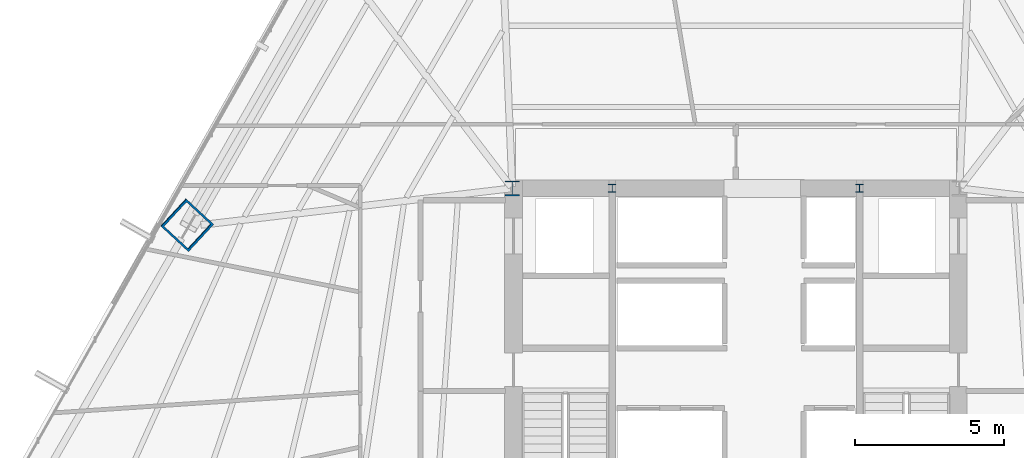
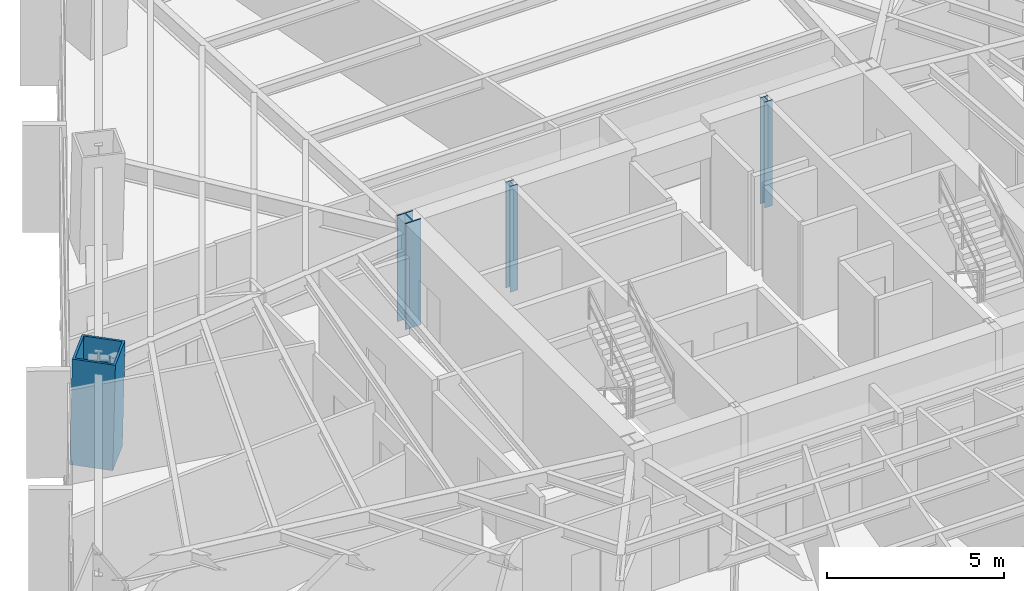
# One storey, part 2 of 39: 4 columns.
"""IFC4 building model written with IfcOpenShell, lengths in metres."""

from ifc_helpers import new_model, si_unit, direction, frame, origin, origin_2d, place, context, subcontext, project, spatial, hollow_rectangle, i_section, extrude, source, transform, mapped, material, material_profile, profile_set, type_object, type_shapes, element, save


model = new_model("IFC4")

# Units and contexts
model_context = context("Model", 3, precision=1e-05, world=origin(), true_north=direction((0.0, 1.0)))
body_context = subcontext(model_context, "Body", "Model", "MODEL_VIEW")
ifc_project = project(units=[si_unit("LENGTHUNIT", "METRE"), si_unit("AREAUNIT", "SQUARE_METRE"), si_unit("VOLUMEUNIT", "CUBIC_METRE"), si_unit("PLANEANGLEUNIT", "RADIAN"), si_unit("MASSUNIT", "GRAM", prefix="KILO")], contexts=[model_context])

# Site, building, storey
site_placement = place(None, origin())
site = spatial("IfcSite", under=ifc_project, at=site_placement, CompositionType="ELEMENT")
building_placement = place(site_placement, origin())
building = spatial("IfcBuilding", under=site, at=building_placement, Name="Caelisora Broadcast Tower", CompositionType="ELEMENT")
storey_placement = place(building_placement, frame((0.0, 0.0, 71.39990234375)))
storey = spatial("IfcBuildingStorey", under=building, at=storey_placement, Name="L18", CompositionType="ELEMENT", Elevation=71.39990234375)

# Columns
ifc_material_1 = material(Name="Steel Grade 350 L15 (AS/NZS 3678)", Category="steel")
ifc_material_profile_1 = material_profile(ifc_material_1, hollow_rectangle(XDim=1.25, YDim=1.25, WallThickness=0.070068359375, at=origin_2d()), Name="Steel Grade 350 L15 (AS/NZS 3678)")
ifc_profile_set_1 = profile_set([ifc_material_profile_1], Name="Steel Grade 350 L15 (AS/NZS 3678)")
column_type_1 = type_object("IfcColumnType", Name="MC02", PredefinedType="COLUMN", material=ifc_profile_set_1)
shared_shape_1 = source(origin(), body_context, "Body", "SweptSolid", [
    extrude(hollow_rectangle(XDim=1.25, YDim=1.25, WallThickness=0.070068359375, at=origin_2d()), origin(), (0.0, 0.0, 1.0), 3.65087890625),
])
type_shapes(column_type_1, [shared_shape_1])
column_1_placement = place(storey_placement, frame((19.586669921875, 28.77197265625, 0.0), z_axis=(0.014912316331, -0.013775502979, 0.999793907933), x_axis=(0.678553674548, 0.734550822447, 0.0)))
element("IfcColumn", 1, at=column_1_placement, inside=storey, type_object=column_type_1, Name="L18 column MC02", PredefinedType="COLUMN", context=body_context, shape_type="MappedRepresentation", body=[
    mapped(shared_shape_1, transform((0.0, 0.0, 0.0), scale=1.0)),
])
ifc_material_2 = material(Name="Steel Grade 350 (AS/NZS 3679.2)", Category="steel")
ifc_material_profile_2 = material_profile(ifc_material_2, i_section(OverallWidth=0.5, OverallDepth=0.5, WebThickness=0.028076171875, FlangeThickness=0.0400390625, at=origin_2d()), Name="Steel Grade 350 (AS/NZS 3679.2)")
ifc_profile_set_2 = profile_set([ifc_material_profile_2], Name="Steel Grade 350 (AS/NZS 3679.2)")
column_type_2 = type_object("IfcColumnType", Name="CC01", PredefinedType="COLUMN", material=ifc_profile_set_2)
shared_shape_2 = source(origin(), body_context, "Body", "SweptSolid", [
    extrude(i_section(OverallWidth=0.5, OverallDepth=0.5, WebThickness=0.028076171875, FlangeThickness=0.0400390625, at=origin_2d()), origin(), (0.0, 0.0, 1.0), 3.650146484375),
])
type_shapes(column_type_2, [shared_shape_2])
column_2_placement = place(storey_placement, frame((30.5, 30.0, 0.0), z_axis=(0.0, 0.0, 1.0), x_axis=(1.0, 0.0, 0.0)))
element("IfcColumn", 2, at=column_2_placement, inside=storey, type_object=column_type_2, Name="L18 column CC01", PredefinedType="COLUMN", context=body_context, shape_type="MappedRepresentation", body=[
    mapped(shared_shape_2, transform((0.0, 0.0, 0.0), scale=1.0)),
])
ifc_material_3 = material(Name="Steel Grade 350 (AS/NZS 3679.1)", Category="steel")
ifc_material_profile_3 = material_profile(ifc_material_3, i_section(OverallWidth=0.256103515625, OverallDepth=0.260009765625, WebThickness=0.010498046875, FlangeThickness=0.017333984375, at=origin_2d()), Name="Steel Grade 350 (AS/NZS 3679.1)")
ifc_profile_set_3 = profile_set([ifc_material_profile_3], Name="Steel Grade 350 (AS/NZS 3679.1)")
column_type_3 = type_object("IfcColumnType", Name="CC05", PredefinedType="COLUMN", material=ifc_profile_set_3)
shared_shape_3 = source(origin(), body_context, "Body", "SweptSolid", [
    extrude(i_section(OverallWidth=0.256103515625, OverallDepth=0.260009765625, WebThickness=0.010498046875, FlangeThickness=0.017333984375, at=origin_2d()), origin(), (0.0, 0.0, 1.0), 3.650146484375),
])
type_shapes(column_type_3, [shared_shape_3])
for number, where, z_axis, x_axis, name in (
    (3, (33.85009765625, 30.0, 0.0), (0.0, 0.0, 1.0), (1.0, 0.0, 0.0), "L18 column CC05"),
    (4, (42.14990234375, 30.0, 0.0), (0.0, 0.0, 1.0), (1.0, 0.0, 0.0), "L18 column CC05"),
):
    element("IfcColumn", number, at=place(storey_placement, frame(where, z_axis=z_axis, x_axis=x_axis)), inside=storey, type_object=column_type_3, Name=name, PredefinedType="COLUMN", context=body_context, shape_type="MappedRepresentation", body=[
        mapped(shared_shape_3, transform((0.0, 0.0, 0.0), scale=1.0)),
    ])

save(model, "model.ifc")
